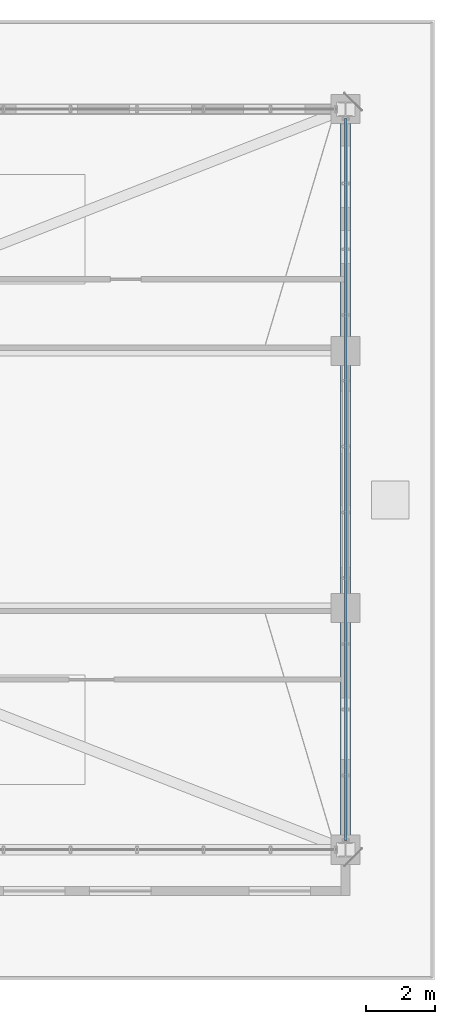
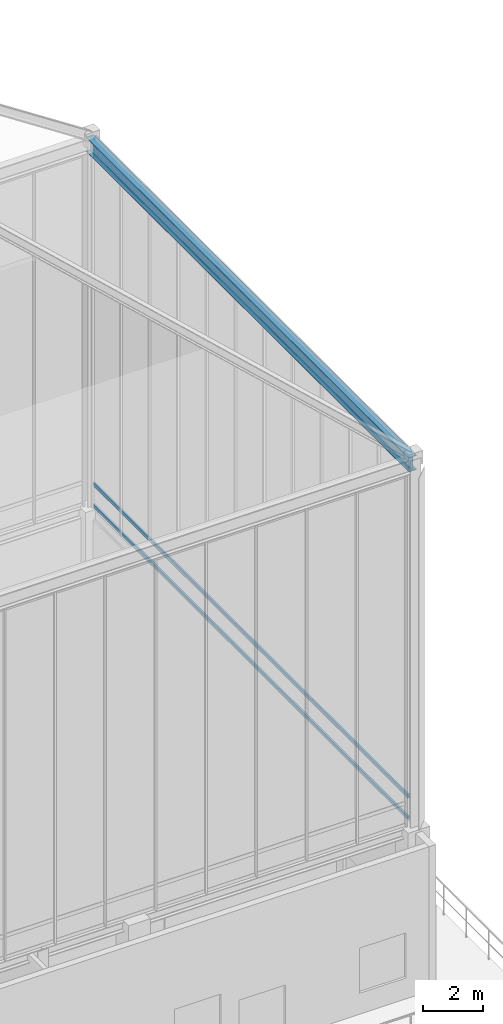
# One storey, part 34 of 49: 3 members, 1 beam, 1 element without a shape of its own.
"""IFC4 building model written with IfcOpenShell, lengths in metres."""

from ifc_helpers import new_model, si_unit, direction, frame, origin, origin_2d, place, context, subcontext, project, spatial, hollow_rectangle, i_section, extrude, source, transform, mapped, material, layer, layer_set, material_profile, profile_set, type_object, element, aggregate, save


model = new_model("IFC4")

# Units and contexts
model_context = context("Model", 3, precision=1e-05, world=origin(), true_north=direction((0.0, 1.0)))
body_context = subcontext(model_context, "Body", "Model", "MODEL_VIEW")
ifc_project = project(units=[si_unit("LENGTHUNIT", "METRE"), si_unit("AREAUNIT", "SQUARE_METRE"), si_unit("VOLUMEUNIT", "CUBIC_METRE"), si_unit("PLANEANGLEUNIT", "RADIAN"), si_unit("MASSUNIT", "GRAM", prefix="KILO")], contexts=[model_context])

# Site, building, storey
site_placement = place(None, origin())
site = spatial("IfcSite", under=ifc_project, at=site_placement, CompositionType="ELEMENT")
building_placement = place(site_placement, origin())
building = spatial("IfcBuilding", under=site, at=building_placement, Name="Kaliganga Portal Commons", CompositionType="ELEMENT")
storey_placement = place(building_placement, frame((0.0, 0.0, 298.0)))
storey = spatial("IfcBuildingStorey", under=building, at=storey_placement, Name="L77", CompositionType="ELEMENT", Elevation=298.0)

# Beam
ifc_material_1 = material(Name="Structural steel S460M", Category="steel")
ifc_material_profile_1 = material_profile(ifc_material_1, i_section(OverallWidth=0.300048828125, OverallDepth=0.60009765625, WebThickness=0.015380859375, FlangeThickness=0.030029296875, FilletRadius=0.027099609375, at=origin_2d()), Name="HE 600 B")
ifc_profile_set_1 = profile_set([ifc_material_profile_1], Name="Structural steel S460M wide-flange")
beam_type = type_object("IfcBeamType", Name="BM-CROWN-RING", PredefinedType="USERDEFINED", material=ifc_profile_set_1)
shared_shape_1 = source(origin(), body_context, "Body", "SweptSolid", [
    extrude(i_section(OverallWidth=0.300048828125, OverallDepth=0.60009765625, WebThickness=0.015380859375, FlangeThickness=0.030029296875, FilletRadius=0.027099609375, at=origin_2d()), origin(), (0.0, 0.0, 1.0), 21.599853515625),
])
beam_placement = place(storey_placement, frame((46.800048828125, 21.60009765625, 20.699951171875), z_axis=(0.0, 1.0, 0.0), x_axis=(-1.0, 0.0, 0.0)))
element("IfcBeam", 1, at=beam_placement, inside=storey, type_object=beam_type, Name="BM CROWN MID E", ObjectType="CROWN FRAME", PredefinedType="USERDEFINED", context=body_context, shape_type="MappedRepresentation", body=[
    mapped(shared_shape_1, transform((0.0, 0.0, 0.0), x_axis=(1.0, 0.0, 0.0), y_axis=(0.0, 1.0, 0.0), z_axis=(0.0, 0.0, 1.0), scale=1.0)),
])

# Curtain wall, members
ifc_material_2 = material(Name="Anodized Aluminium and Laminated Low-E Glass", Category="aluminium")
ifc_layer = layer(ifc_material_2, 0.25)
ifc_layer_set = layer_set([ifc_layer], Name="Anodized Aluminium and Laminated Low-E Glass")
curtain_wall_type = type_object("IfcCurtainWallType", Name="CW-SYS-06", PredefinedType="NOTDEFINED", material=ifc_layer_set)
curtain_wall_placement = place(storey_placement, origin())
curtain_wall = element("IfcCurtainWall", 2, at=curtain_wall_placement, inside=storey, type_object=curtain_wall_type, Name="CW 06 L77 E", PredefinedType="NOTDEFINED")
ifc_material_3 = material(Name="Dark Bronze Anodized Aluminium", Category="aluminium")
ifc_material_profile_2 = material_profile(ifc_material_3, hollow_rectangle(XDim=0.070068359375, YDim=0.14990234375, WallThickness=0.00341796875, at=origin_2d()), Name="ALU TRAN 70x150x3.5")
ifc_profile_set_2 = profile_set([ifc_material_profile_2], Name="Dark Bronze Anodized Aluminium")
member_type = type_object("IfcMemberType", Name="CW-TRN-150", PredefinedType="USERDEFINED", material=ifc_profile_set_2)
shared_shape_2 = source(origin(), body_context, "Body", "SweptSolid", [
    extrude(hollow_rectangle(XDim=0.070068359375, YDim=0.14990234375, WallThickness=0.00341796875, at=origin_2d()), origin(), (0.0, 0.0, 1.0), 21.059814453125),
])
member_1_placement = place(storey_placement, frame((46.800048828125, 21.8701171875, 6.06005859375), z_axis=(0.0, 1.0, 0.0), x_axis=(-1.0, 0.0, 0.0)))
member_1 = element("IfcMember", 3, at=member_1_placement, type_object=member_type, Name="CW:06:L77:E Transom 1", ObjectType="TRANSOM", PredefinedType="USERDEFINED", context=body_context, shape_type="MappedRepresentation", body=[
    mapped(shared_shape_2, transform((0.0, 0.0, 0.0), x_axis=(1.0, 0.0, 0.0), y_axis=(0.0, 1.0, 0.0), z_axis=(0.0, 0.0, 1.0), scale=1.0)),
])
member_2_placement = place(storey_placement, frame((46.800048828125, 21.8701171875, 6.949951171875), z_axis=(0.0, 1.0, 0.0), x_axis=(-1.0, 0.0, 0.0)))
member_2 = element("IfcMember", 4, at=member_2_placement, type_object=member_type, Name="CW:06:L77:E Transom 2", ObjectType="TRANSOM", PredefinedType="USERDEFINED", context=body_context, shape_type="MappedRepresentation", body=[
    mapped(shared_shape_2, transform((0.0, 0.0, 0.0), x_axis=(1.0, 0.0, 0.0), y_axis=(0.0, 1.0, 0.0), z_axis=(0.0, 0.0, 1.0), scale=1.0)),
])
member_3_placement = place(storey_placement, frame((46.800048828125, 21.8701171875, 20.320068359375), z_axis=(0.0, 1.0, 0.0), x_axis=(-1.0, 0.0, 0.0)))
member_3 = element("IfcMember", 5, at=member_3_placement, type_object=member_type, Name="CW:06:L77:E Transom 3", ObjectType="TRANSOM", PredefinedType="USERDEFINED", context=body_context, shape_type="MappedRepresentation", body=[
    mapped(shared_shape_2, transform((0.0, 0.0, 0.0), x_axis=(1.0, 0.0, 0.0), y_axis=(0.0, 1.0, 0.0), z_axis=(0.0, 0.0, 1.0), scale=1.0)),
])
aggregate(curtain_wall, [member_1, member_2, member_3])

save(model, "model.ifc")
